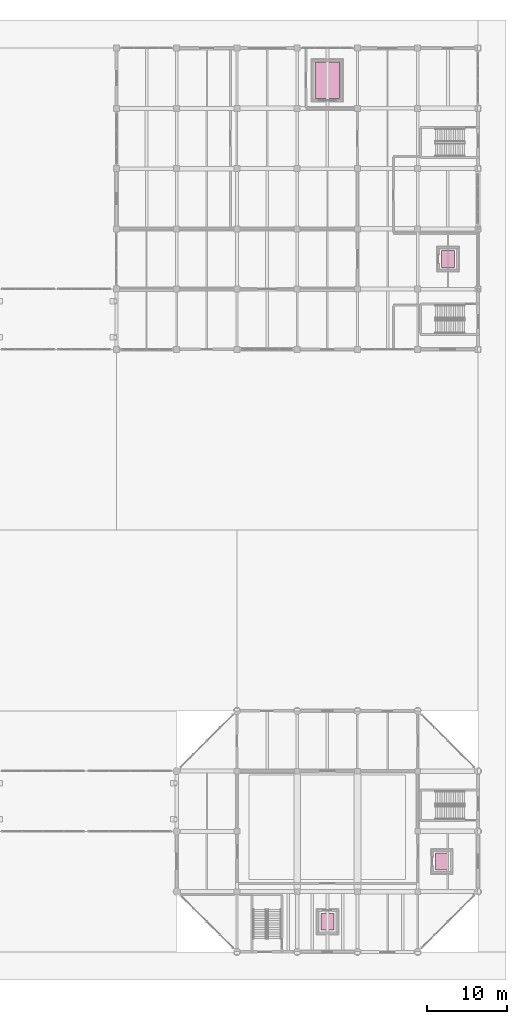
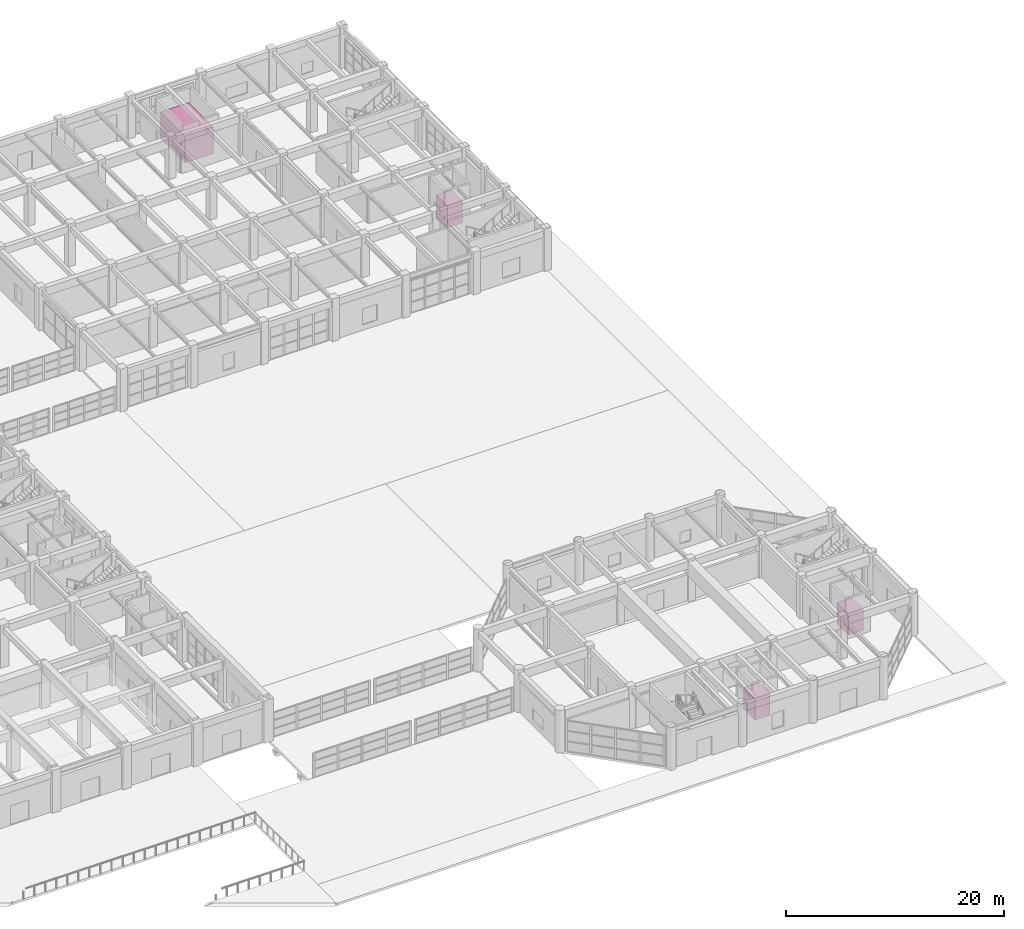
# One storey, part 122 of 122: 4 transport elements.
"""IFC4 building model written with IfcOpenShell, lengths in metres."""

import ifcopenshell
import ifcopenshell.guid

model = None  # the IFC model being written
_history = None  # IfcOwnerHistory: only IFC2X3 demands one
_inside = {}  # id of a spatial element -> (the spatial element, [elements in it])
_under = {}  # id of a project, library or spatial element -> (it, [spatial elements below it])
_declared = {}  # id of a project -> (the project, [libraries it declares])
_typed = {}  # id of a type object -> (the type object, [elements of that type])
_made_of = {}  # id of a material, layer set ... -> (it, [elements and type objects made of it])


def new_model(schema):
    """Start an empty IFC model of exactly this schema.

    Asked for "IFC4X3", IfcOpenShell would pick the latest addendum, in which some entities
    have other attributes; the version numbers below select the first issue.
    IFC2X3 requires an IfcOwnerHistory on every rooted entity: one is made here for all.
    """
    global model, _history
    if schema == "IFC4X3":
        model = ifcopenshell.file(schema_version=(4, 3, 0, 0))
    else:
        model = ifcopenshell.file(schema=schema)
    _inside.clear()
    _under.clear()
    _declared.clear()
    _typed.clear()
    _made_of.clear()
    _history = None
    if model.schema == "IFC2X3":
        org = make("IfcOrganization", Name="unknown")
        user = make(
            "IfcPersonAndOrganization",
            ThePerson=make("IfcPerson", FamilyName="unknown"),
            TheOrganization=org,
        )
        app = make(
            "IfcApplication",
            ApplicationDeveloper=org,
            Version="unknown",
            ApplicationFullName="unknown",
            ApplicationIdentifier="unknown",
        )
        _history = make(
            "IfcOwnerHistory",
            OwningUser=user,
            OwningApplication=app,
            ChangeAction="ADDED",
            CreationDate=0,
        )
    return model


def make(cls, **values):
    """One entity of the class cls with the attributes given. An attribute that is None is left unset."""
    return model.create_entity(
        cls, **{name: value for name, value in values.items() if value is not None}
    )


def rooted(cls, **values):
    """An entity with a GlobalId (a new one), such as an element, a storey or a relation."""
    return make(cls, GlobalId=ifcopenshell.guid.new(), OwnerHistory=_history, **values)


def si_unit(unit_type, name, prefix=None):
    """IfcSIUnit, for example si_unit("LENGTHUNIT", "METRE", prefix="MILLI")."""
    return make("IfcSIUnit", UnitType=unit_type, Prefix=prefix, Name=name)


def assignment(units):
    """IfcUnitAssignment: the units of a project."""
    return None if units is None else make("IfcUnitAssignment", Units=units)


def point(xyz):
    """IfcCartesianPoint."""
    return None if xyz is None else make("IfcCartesianPoint", Coordinates=xyz)


def direction(xyz):
    """IfcDirection."""
    return None if xyz is None else make("IfcDirection", DirectionRatios=xyz)


def frame(location, z_axis=None, x_axis=None):
    """IfcAxis2Placement3D, a coordinate frame: its origin and axes. An axis left out is left unset."""
    return make(
        "IfcAxis2Placement3D",
        Location=point(location),
        Axis=direction(z_axis),
        RefDirection=direction(x_axis),
    )


def frame_2d(location, x_axis=None):
    """IfcAxis2Placement2D, a coordinate frame in the plane: its origin and x axis."""
    return make(
        "IfcAxis2Placement2D", Location=point(location), RefDirection=direction(x_axis)
    )


def origin():
    """The frame at (0, 0, 0) with its axes left unset."""
    return frame((0.0, 0.0, 0.0))


def origin_2d():
    """The frame at (0, 0) in the plane with its x axis left unset."""
    return frame_2d((0.0, 0.0))


def place(relative_to, where):
    """IfcLocalPlacement: puts the frame where relative to a parent placement (None: the world)."""
    return make(
        "IfcLocalPlacement", PlacementRelTo=relative_to, RelativePlacement=where
    )


def context(
    kind, dimensions, precision=None, world=None, true_north=None, identifier=None
):
    """IfcGeometricRepresentationContext, for example the 3D "Model" context."""
    return make(
        "IfcGeometricRepresentationContext",
        ContextIdentifier=identifier,
        ContextType=kind,
        CoordinateSpaceDimension=dimensions,
        Precision=precision,
        WorldCoordinateSystem=world,
        TrueNorth=true_north,
    )


def subcontext(parent, identifier, kind, view, scale=None):
    """IfcGeometricRepresentationSubContext, for example "Body" below "Model"."""
    return make(
        "IfcGeometricRepresentationSubContext",
        ContextIdentifier=identifier,
        ContextType=kind,
        ParentContext=parent,
        TargetScale=scale,
        TargetView=view,
    )


def project(units=None, contexts=None):
    """IfcProject with its units and contexts."""
    return rooted(
        "IfcProject",
        Name="project",
        RepresentationContexts=contexts,
        UnitsInContext=assignment(units),
    )


def spatial(cls, under=None, at=None, **own):
    """A site, building, storey or space (cls), placed at a placement, below another one or the project."""
    s = rooted(cls, ObjectPlacement=at, **own)
    if under is not None:
        _under.setdefault(under.id(), (under, []))[1].append(s)
    return s


def profile(cls, at=None, kind="AREA", **sizes):
    """A parametric profile (cls). Its sizes go by their IFC names, for example OverallWidth=200.0."""
    return make(cls, ProfileType=kind, Position=at, **sizes)


def rectangle(**sizes):
    """IfcRectangleProfileDef."""
    return profile("IfcRectangleProfileDef", **sizes)


def extrude(swept, where, along, depth):
    """IfcExtrudedAreaSolid: the profile swept, set in the frame where, extruded along a direction by depth."""
    return make(
        "IfcExtrudedAreaSolid",
        SweptArea=swept,
        Position=where,
        ExtrudedDirection=direction(along),
        Depth=depth,
    )


def shape(context_of_items, identifier, shape_type, items):
    """IfcShapeRepresentation: the items that make up one representation, for example the "Body"."""
    return make(
        "IfcShapeRepresentation",
        ContextOfItems=context_of_items,
        RepresentationIdentifier=identifier,
        RepresentationType=shape_type,
        Items=items,
    )


def material(Name=None, Category=None):
    """IfcMaterial."""
    return make("IfcMaterial", Name=Name, Category=Category)


def made_of(thing, what):
    """Note that an element or type object is made of a material, layer set ...; save() writes the relation."""
    if what is not None:
        _made_of.setdefault(what.id(), (what, []))[1].append(thing)
    return thing


def type_object(cls, material=None, **own):
    """A type object (cls), such as IfcWallType, which elements share."""
    return made_of(rooted(cls, **own), material)


def element(
    cls,
    number,
    at=None,
    inside=None,
    cuts=None,
    type_object=None,
    material=None,
    context=None,
    identifier="Body",
    shape_type=None,
    held_by="IfcProductDefinitionShape",
    body=None,
    shapes=None,
    **own,
):
    """One element of the class cls, such as IfcWall. Its Tag is "e" and its number.

    at: its placement. inside: the storey or other place that contains it. cuts: it is an
    opening in that element (IfcRelVoidsElement). A single representation is given by context,
    identifier, shape_type and body (its items); several are given by shapes. held_by: the class
    of the entity that holds the representations. save() writes the other relations.
    """
    e = rooted(cls, Tag="e%d" % number, ObjectPlacement=at, **own)
    if body is not None:
        shapes = [shape(context, identifier, shape_type, body)]
    if shapes is not None:
        e.Representation = make(held_by, Representations=shapes)
    if inside is not None:
        _inside.setdefault(inside.id(), (inside, []))[1].append(e)
    if cuts is not None:
        rooted(
            "IfcRelVoidsElement", RelatingBuildingElement=cuts, RelatedOpeningElement=e
        )
    if type_object is not None:
        _typed.setdefault(type_object.id(), (type_object, []))[1].append(e)
    return made_of(e, material)


def aggregate(whole, parts):
    """IfcRelAggregates: a whole, such as a stair, and the parts it consists of."""
    return rooted("IfcRelAggregates", RelatingObject=whole, RelatedObjects=parts)


def save(model, path):
    """Write the relations noted so far, then the file.

    IfcRelAggregates (storeys below a building ...), IfcRelContainedInSpatialStructure (elements
    in a storey), IfcRelDefinesByType, IfcRelAssociatesMaterial and IfcRelDeclares: one each for
    every whole, place, type object, material and project.
    """
    for whole, parts in _under.values():
        aggregate(whole, parts)
    for where, things in _inside.values():
        rooted(
            "IfcRelContainedInSpatialStructure",
            RelatedElements=things,
            RelatingStructure=where,
        )
    for kind, things in _typed.values():
        rooted("IfcRelDefinesByType", RelatedObjects=things, RelatingType=kind)
    for what, things in _made_of.values():
        rooted("IfcRelAssociatesMaterial", RelatedObjects=things, RelatingMaterial=what)
    for by, libraries in _declared.values():
        rooted("IfcRelDeclares", RelatingContext=by, RelatedDefinitions=libraries)
    model.write(path)


model = new_model("IFC4")

# Units and contexts
model_context = context("Model", 3, precision=1e-05, world=origin(), true_north=direction((0.0, 1.0)))
body_context = subcontext(model_context, "Body", "Model", "MODEL_VIEW")
ifc_project = project(units=[si_unit("LENGTHUNIT", "METRE"), si_unit("AREAUNIT", "SQUARE_METRE"), si_unit("VOLUMEUNIT", "CUBIC_METRE"), si_unit("PLANEANGLEUNIT", "RADIAN"), si_unit("MASSUNIT", "GRAM", prefix="KILO")], contexts=[model_context])

# Site, building, storey
site_placement = place(None, origin())
site = spatial("IfcSite", under=ifc_project, at=site_placement, CompositionType="ELEMENT")
building_placement = place(site_placement, origin())
building = spatial("IfcBuilding", under=site, at=building_placement, Name="Qasida Concert Hall", CompositionType="ELEMENT")
storey_placement = place(building_placement, origin())
storey = spatial("IfcBuildingStorey", under=building, at=storey_placement, Name="L00", CompositionType="ELEMENT", Elevation=0.0)

# Transport elements
ifc_material = material(Name="Brushed bronze and stainless steel lift car", Category="steel")
transport_element_type_1 = type_object("IfcTransportElementType", Name="LFT-FRT", PredefinedType="ELEVATOR", material=ifc_material)
transport_element_placement = place(storey_placement, frame((146.25, 108.5, 0.0), z_axis=(0.0, 0.0, 1.0), x_axis=(1.0, 0.0, 0.0)))
element("IfcTransportElement", 1, at=transport_element_placement, inside=storey, type_object=transport_element_type_1, Name="Elevator LF-10", PredefinedType="ELEVATOR", context=body_context, shape_type="SweptSolid", body=[
    extrude(rectangle(XDim=3.0, YDim=4.5, at=origin_2d()), origin(), (0.0, 0.0, 1.0), 3.0),
])
transport_element_type_2 = type_object("IfcTransportElementType", Name="LFT-PAX", PredefinedType="ELEVATOR", material=ifc_material)
for number, where, z_axis, x_axis, name in (
    (2, (161.25, 86.25, 0.0), (0.0, 0.0, 1.0), (1.0, 0.0, 0.0), "Elevator LF-09"),
    (3, (146.25, 3.75, 0.0), (0.0, 0.0, 1.0), (1.0, 0.0, 0.0), "Elevator LF-11"),
    (4, (160.5, 11.25, 0.0), (0.0, 0.0, 1.0), (1.0, 0.0, 0.0), "Elevator LF-12"),
):
    element("IfcTransportElement", number, at=place(storey_placement, frame(where, z_axis=z_axis, x_axis=x_axis)), inside=storey, type_object=transport_element_type_2, Name=name, PredefinedType="ELEVATOR", context=body_context, shape_type="SweptSolid", body=[
        extrude(rectangle(XDim=1.60009765625, YDim=2.10009765625, at=origin_2d()), origin(), (0.0, 0.0, 1.0), 2.39990234375),
    ])

save(model, "model.ifc")
